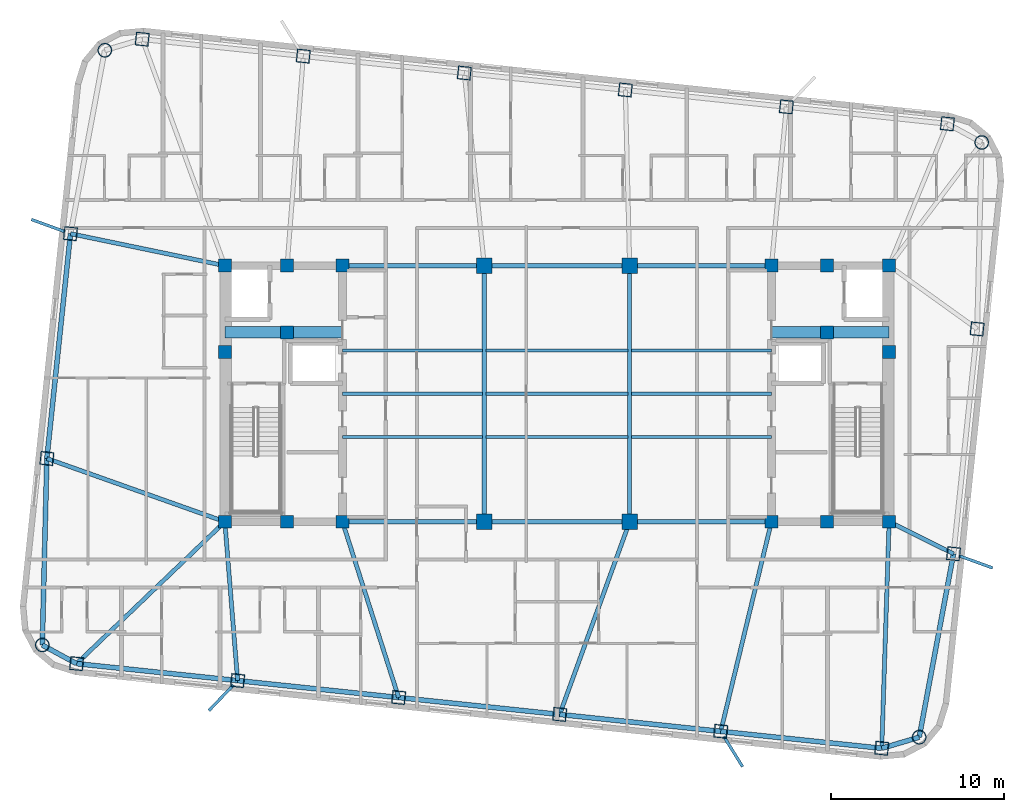
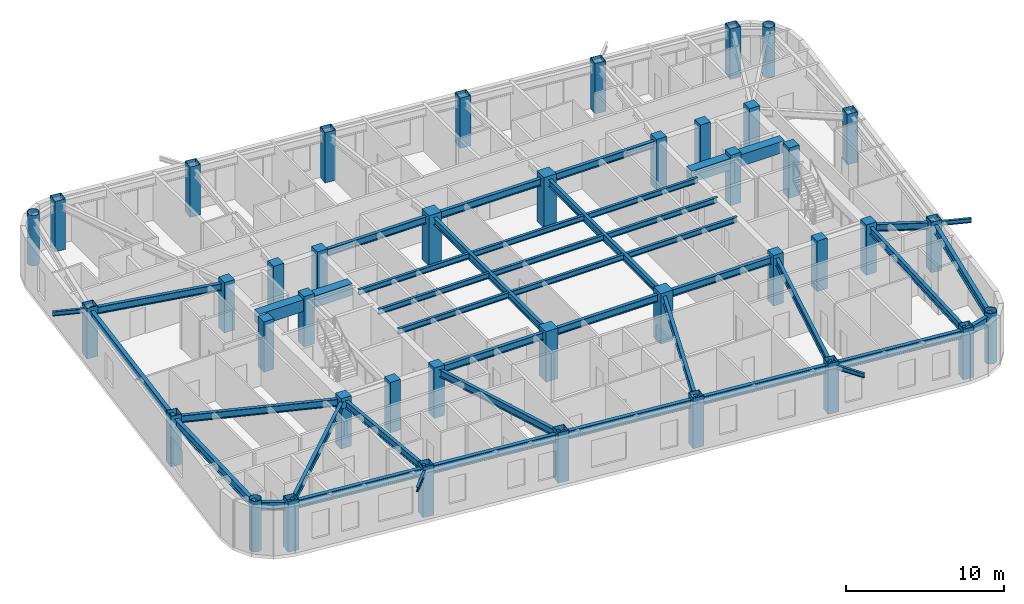
# One storey, part 1 of 11: 42 beams, 40 columns.
"""IFC4 building model written with IfcOpenShell, lengths in metres."""

from ifc_helpers import new_model, si_unit, direction, frame, origin, origin_2d, place, context, subcontext, project, spatial, rectangle, hollow_rectangle, hollow_circle, i_section, extrude, material, material_profile, profile_set, type_object, element, save


model = new_model("IFC4")

# Units and contexts
model_context = context("Model", 3, precision=1e-05, world=origin(), true_north=direction((0.0, 1.0)))
body_context = subcontext(model_context, "Body", "Model", "MODEL_VIEW")
ifc_project = project(units=[si_unit("LENGTHUNIT", "METRE"), si_unit("AREAUNIT", "SQUARE_METRE"), si_unit("VOLUMEUNIT", "CUBIC_METRE"), si_unit("PLANEANGLEUNIT", "RADIAN"), si_unit("MASSUNIT", "GRAM", prefix="KILO")], contexts=[model_context])

# Site, building, storey
site_placement = place(None, origin())
site = spatial("IfcSite", under=ifc_project, at=site_placement, CompositionType="ELEMENT")
building_placement = place(site_placement, origin())
building = spatial("IfcBuilding", under=site, at=building_placement, Name="Voryun Gate Residences", CompositionType="ELEMENT")
storey_placement = place(building_placement, frame((0.0, 0.0, 287.300048828125)))
storey = spatial("IfcBuildingStorey", under=building, at=storey_placement, Name="L71", CompositionType="ELEMENT", Elevation=287.300048828125)

# Columns
ifc_material_1 = material(Name="Concrete C50/60", Category="concrete")
ifc_material_profile_1 = material_profile(ifc_material_1, rectangle(XDim=0.75, YDim=0.75, at=origin_2d()), Name="RC-750x750")
ifc_profile_set_1 = profile_set([ifc_material_profile_1], Name="Concrete C50/60")
column_type_1 = type_object("IfcColumnType", Name="COL_CORE_750", PredefinedType="COLUMN", material=ifc_profile_set_1)
for number, where, z_axis, x_axis, name in (
    (1, (-19.199951171875, -7.39990234375, 0.0), (0.0, 0.0, 1.0), (1.0, 0.0, 0.0), "L71 Core boundary column WC-SW"),
    (2, (-19.199951171875, 2.39990234375, 0.0), (0.0, 0.0, 1.0), (1.0, 0.0, 0.0), "L71 Core boundary column WC-MW"),
    (3, (-19.199951171875, 7.39990234375, 0.0), (0.0, 0.0, 1.0), (1.0, 0.0, 0.0), "L71 Core boundary column WC-NW"),
    (4, (-15.60009765625, -7.39990234375, 0.0), (0.0, 0.0, 1.0), (1.0, 0.0, 0.0), "L71 Core boundary column WC-SM"),
    (5, (-15.60009765625, 7.39990234375, 0.0), (0.0, 0.0, 1.0), (1.0, 0.0, 0.0), "L71 Core boundary column WC-NM"),
    (6, (-12.39990234375, -7.39990234375, 0.0), (0.0, 0.0, 1.0), (1.0, 0.0, 0.0), "L71 Core boundary column WC-SE"),
    (7, (-15.60009765625, 3.550048828125, 0.0), (0.0, 0.0, 1.0), (1.0, 0.0, 0.0), "L71 Core boundary column WC-MM"),
    (8, (-12.39990234375, 7.39990234375, 0.0), (0.0, 0.0, 1.0), (1.0, 0.0, 0.0), "L71 Core boundary column WC-NE"),
    (9, (12.39990234375, -7.39990234375, 0.0), (0.0, 0.0, 1.0), (1.0, 0.0, 0.0), "L71 Core boundary column EC-SW"),
    (10, (15.60009765625, 3.550048828125, 0.0), (0.0, 0.0, 1.0), (1.0, 0.0, 0.0), "L71 Core boundary column EC-MM"),
    (11, (12.39990234375, 7.39990234375, 0.0), (0.0, 0.0, 1.0), (1.0, 0.0, 0.0), "L71 Core boundary column EC-NW"),
    (12, (15.60009765625, -7.39990234375, 0.0), (0.0, 0.0, 1.0), (1.0, 0.0, 0.0), "L71 Core boundary column EC-SM"),
    (13, (15.60009765625, 7.39990234375, 0.0), (0.0, 0.0, 1.0), (1.0, 0.0, 0.0), "L71 Core boundary column EC-NM"),
    (14, (19.199951171875, -7.39990234375, 0.0), (0.0, 0.0, 1.0), (1.0, 0.0, 0.0), "L71 Core boundary column EC-SE"),
    (15, (19.199951171875, 2.39990234375, 0.0), (0.0, 0.0, 1.0), (1.0, 0.0, 0.0), "L71 Core boundary column EC-ME"),
    (16, (19.199951171875, 7.39990234375, 0.0), (0.0, 0.0, 1.0), (1.0, 0.0, 0.0), "L71 Core boundary column EC-NE"),
):
    element("IfcColumn", number, at=place(storey_placement, frame(where, z_axis=z_axis, x_axis=x_axis)), inside=storey, type_object=column_type_1, Name=name, PredefinedType="COLUMN", context=body_context, shape_type="SweptSolid", body=[
        extrude(rectangle(XDim=0.75, YDim=0.75, at=origin_2d()), origin(), (0.0, 0.0, 1.0), 3.89990234375),
    ])
ifc_material_2 = material(Name="Concrete C50/60", Category="concrete")
ifc_material_profile_2 = material_profile(ifc_material_2, rectangle(XDim=0.89990234375, YDim=0.89990234375, at=origin_2d()), Name="RC-900x900")
ifc_profile_set_2 = profile_set([ifc_material_profile_2], Name="Concrete C50/60")
column_type_2 = type_object("IfcColumnType", Name="COL_CORE_900", PredefinedType="COLUMN", material=ifc_profile_set_2)
for number, where, z_axis, x_axis, name in (
    (17, (-4.199951171875, -7.39990234375, 0.0), (0.0, 0.0, 1.0), (1.0, 0.0, 0.0), "L71 Interior spine column SP-WS"),
    (18, (-4.199951171875, 7.39990234375, 0.0), (0.0, 0.0, 1.0), (1.0, 0.0, 0.0), "L71 Interior spine column SP-WN"),
    (19, (4.199951171875, -7.39990234375, 0.0), (0.0, 0.0, 1.0), (1.0, 0.0, 0.0), "L71 Interior spine column SP-ES"),
    (20, (4.199951171875, 7.39990234375, 0.0), (0.0, 0.0, 1.0), (1.0, 0.0, 0.0), "L71 Interior spine column SP-EN"),
):
    element("IfcColumn", number, at=place(storey_placement, frame(where, z_axis=z_axis, x_axis=x_axis)), inside=storey, type_object=column_type_2, Name=name, PredefinedType="COLUMN", context=body_context, shape_type="SweptSolid", body=[
        extrude(rectangle(XDim=0.89990234375, YDim=0.89990234375, at=origin_2d()), origin(), (0.0, 0.0, 1.0), 3.89990234375),
    ])
ifc_material_3 = material(Name="Steel SM355", Category="steel")
ifc_material_profile_3 = material_profile(ifc_material_3, hollow_circle(Radius=0.39990234375, WallThickness=0.028076171875, at=origin_2d()), Name="CHS-800x28")
ifc_profile_set_3 = profile_set([ifc_material_profile_3], Name="Steel SM355")
column_type_3 = type_object("IfcColumnType", Name="COL_CRN_800", PredefinedType="COLUMN", material=ifc_profile_set_3)
for number, where, z_axis, x_axis, name in (
    (21, (20.939453125, -19.855224609375, 0.0), (0.0, 0.0, 1.0), (0.994521895368, -0.104528463268, 0.0), "L71 Exoskeleton column CSE"),
    (22, (24.55322265625, 14.52734375, 0.0), (0.0, 0.0, 1.0), (0.994521895368, -0.104528463268, 0.0), "L71 Exoskeleton column CNE"),
    (23, (-26.139404296875, 19.855224609375, 0.0), (0.0, 0.0, 1.0), (0.994521895368, -0.104528463268, 0.0), "L71 Exoskeleton column CNW"),
    (24, (-29.753173828125, -14.52734375, 0.0), (0.0, 0.0, 1.0), (0.994521895368, -0.104528463268, 0.0), "L71 Exoskeleton column CSW"),
):
    element("IfcColumn", number, at=place(storey_placement, frame(where, z_axis=z_axis, x_axis=x_axis)), inside=storey, type_object=column_type_3, Name=name, PredefinedType="COLUMN", context=body_context, shape_type="SweptSolid", body=[
        extrude(hollow_circle(Radius=0.39990234375, WallThickness=0.028076171875, at=origin_2d()), origin(), (0.0, 0.0, 1.0), 3.89990234375),
    ])
ifc_material_4 = material(Name="Steel SM355", Category="steel")
ifc_material_profile_4 = material_profile(ifc_material_4, hollow_rectangle(XDim=0.75, YDim=0.75, WallThickness=0.02490234375, at=origin_2d()), Name="BOX-750x750x25")
ifc_profile_set_4 = profile_set([ifc_material_profile_4], Name="Steel SM355")
column_type_4 = type_object("IfcColumnType", Name="COL_EXO_B5", PredefinedType="COLUMN", material=ifc_profile_set_4)
for number, where, z_axis, x_axis, name in (
    (25, (-27.76904296875, -15.6044921875, 0.0), (0.0, 0.0, 1.0), (0.994521895368, -0.104528463268, 0.0), "L71 Exoskeleton column S1"),
    (26, (-18.460205078125, -16.5830078125, 0.0), (0.0, 0.0, 1.0), (0.994521895368, -0.104528463268, 0.0), "L71 Exoskeleton column S2"),
    (27, (-9.151611328125, -17.561279296875, 0.0), (0.0, 0.0, 1.0), (0.994521895368, -0.104528463268, 0.0), "L71 Exoskeleton column S3"),
    (28, (0.1572265625, -18.539794921875, 0.0), (0.0, 0.0, 1.0), (0.994521895368, -0.104528463268, 0.0), "L71 Exoskeleton column S4"),
    (29, (9.4658203125, -19.51806640625, 0.0), (0.0, 0.0, 1.0), (0.994521895368, -0.104528463268, 0.0), "L71 Exoskeleton column S5"),
    (30, (18.774658203125, -20.49658203125, 0.0), (0.0, 0.0, 1.0), (0.994521895368, -0.104528463268, 0.0), "L71 Exoskeleton column S6"),
    (31, (22.922607421875, -9.25244140625, 0.0), (0.0, 0.0, 1.0), (0.994521895368, -0.104528463268, 0.0), "L71 Exoskeleton column E1"),
    (32, (24.28857421875, 3.743896484375, 0.0), (0.0, 0.0, 1.0), (0.994521895368, -0.104528463268, 0.0), "L71 Exoskeleton column E2"),
    (33, (22.569091796875, 15.6044921875, 0.0), (0.0, 0.0, 1.0), (0.994521895368, -0.104528463268, 0.0), "L71 Exoskeleton column N1"),
    (34, (13.26025390625, 16.5830078125, 0.0), (0.0, 0.0, 1.0), (0.994521895368, -0.104528463268, 0.0), "L71 Exoskeleton column N2"),
    (35, (3.95166015625, 17.561279296875, 0.0), (0.0, 0.0, 1.0), (0.994521895368, -0.104528463268, 0.0), "L71 Exoskeleton column N3"),
    (36, (-5.357177734375, 18.539794921875, 0.0), (0.0, 0.0, 1.0), (0.994521895368, -0.104528463268, 0.0), "L71 Exoskeleton column N4"),
    (37, (-14.666015625, 19.51806640625, 0.0), (0.0, 0.0, 1.0), (0.994521895368, -0.104528463268, 0.0), "L71 Exoskeleton column N5"),
    (38, (-23.974609375, 20.49658203125, 0.0), (0.0, 0.0, 1.0), (0.994521895368, -0.104528463268, 0.0), "L71 Exoskeleton column N6"),
    (39, (-28.12255859375, 9.25244140625, 0.0), (0.0, 0.0, 1.0), (0.994521895368, -0.104528463268, 0.0), "L71 Exoskeleton column W1"),
    (40, (-29.488525390625, -3.743896484375, 0.0), (0.0, 0.0, 1.0), (0.994521895368, -0.104528463268, 0.0), "L71 Exoskeleton column W2"),
):
    element("IfcColumn", number, at=place(storey_placement, frame(where, z_axis=z_axis, x_axis=x_axis)), inside=storey, type_object=column_type_4, Name=name, PredefinedType="COLUMN", context=body_context, shape_type="SweptSolid", body=[
        extrude(hollow_rectangle(XDim=0.75, YDim=0.75, WallThickness=0.02490234375, at=origin_2d()), origin(), (0.0, 0.0, 1.0), 3.89990234375),
    ])

# Beams
ifc_material_5 = material(Name="Steel SM355", Category="steel")
ifc_material_profile_5 = material_profile(ifc_material_5, i_section(OverallWidth=0.169921875, OverallDepth=0.340087890625, WebThickness=0.008056640625, FlangeThickness=0.013916015625, FilletRadius=0.01806640625, at=origin_2d()), Name="H-340x170x8x14")
ifc_profile_set_5 = profile_set([ifc_material_profile_5], Name="Steel SM355")
beam_type_1 = type_object("IfcBeamType", Name="BM_BALC_EDGE", PredefinedType="JOIST", material=ifc_profile_set_5)
beam_1_placement = place(storey_placement, frame((-18.7021484375, -16.8359375, 3.46484375), z_axis=(-0.691211830003, -0.722652202698, 0.0), x_axis=(0.722652202698, -0.691211830003, 0.0)))
element("IfcBeam", 41, at=beam_1_placement, inside=storey, type_object=beam_type_1, Name="BM-L71-BALBRK-S2", PredefinedType="JOIST", context=body_context, shape_type="SweptSolid", body=[
    extrude(i_section(OverallWidth=0.169921875, OverallDepth=0.340087890625, WebThickness=0.008056640625, FlangeThickness=0.013916015625, FilletRadius=0.01806640625, at=origin_2d()), origin(), (0.0, 0.0, 1.0), 2.050048828125),
])
beam_2_placement = place(storey_placement, frame((9.64990234375, -19.81591796875, 3.46484375), z_axis=(0.52581739742, -0.850597475056, 0.0), x_axis=(0.850597475056, 0.52581739742, 0.0)))
element("IfcBeam", 42, at=beam_2_placement, inside=storey, type_object=beam_type_1, Name="BM-L71-BALBRK-S5", PredefinedType="JOIST", context=body_context, shape_type="SweptSolid", body=[
    extrude(i_section(OverallWidth=0.169921875, OverallDepth=0.340087890625, WebThickness=0.008056640625, FlangeThickness=0.013916015625, FilletRadius=0.01806640625, at=origin_2d()), origin(), (0.0, 0.0, 1.0), 2.0498046875),
])
for number, where, z_axis, x_axis, name in (
    (43, (23.251708984375, -9.371826171875, 3.46484375), (0.940119847324, -0.340844059164, 0.0), (0.340844059164, 0.940119847324, 0.0), "BM-L71-BALBRK-E1"),
    (44, (-28.45166015625, 9.371826171875, 3.46484375), (-0.940119847324, 0.340844059164, 0.0), (-0.340844059164, -0.940119847324, 0.0), "BM-L71-BALBRK-W1"),
):
    element("IfcBeam", number, at=place(storey_placement, frame(where, z_axis=z_axis, x_axis=x_axis)), inside=storey, type_object=beam_type_1, Name=name, PredefinedType="JOIST", context=body_context, shape_type="SweptSolid", body=[
        extrude(i_section(OverallWidth=0.169921875, OverallDepth=0.340087890625, WebThickness=0.008056640625, FlangeThickness=0.013916015625, FilletRadius=0.01806640625, at=origin_2d()), origin(), (0.0, 0.0, 1.0), 2.050048828125),
    ])
ifc_material_6 = material(Name="Concrete C60/75", Category="concrete")
ifc_material_profile_6 = material_profile(ifc_material_6, rectangle(XDim=0.64990234375, YDim=0.89990234375, at=origin_2d()), Name="RC-650x900")
ifc_profile_set_6 = profile_set([ifc_material_profile_6], Name="Concrete C60/75")
beam_type_2 = type_object("IfcBeamType", Name="BM_COUP_RC900", PredefinedType="LINTEL", material=ifc_profile_set_6)
for number, where, z_axis, x_axis, name in (
    (45, (-19.199951171875, 3.550048828125, 3.18505859375), (1.0, 0.0, 0.0), (0.0, 1.0, 0.0), "BM-L71-WC1"),
    (46, (12.39990234375, 3.550048828125, 3.18505859375), (1.0, 0.0, 0.0), (0.0, 1.0, 0.0), "BM-L71-EC1"),
):
    element("IfcBeam", number, at=place(storey_placement, frame(where, z_axis=z_axis, x_axis=x_axis)), inside=storey, type_object=beam_type_2, Name=name, PredefinedType="LINTEL", context=body_context, shape_type="SweptSolid", body=[
        extrude(rectangle(XDim=0.64990234375, YDim=0.89990234375, at=origin_2d()), origin(), (0.0, 0.0, 1.0), 6.800048828125),
    ])
ifc_material_7 = material(Name="Steel SM355", Category="steel")
ifc_material_profile_7 = material_profile(ifc_material_7, i_section(OverallWidth=0.280029296875, OverallDepth=0.6201171875, WebThickness=0.013916015625, FlangeThickness=0.02197265625, FilletRadius=0.01806640625, at=origin_2d()), Name="H-620x280x14x22")
ifc_profile_set_7 = profile_set([ifc_material_profile_7], Name="Steel SM355")
beam_type_3 = type_object("IfcBeamType", Name="BM_EXO_SPANDREL_H", PredefinedType="SPANDREL", material=ifc_profile_set_7)
beam_3_placement = place(storey_placement, frame((-27.76904296875, -15.6044921875, 3.324951171875), z_axis=(0.994520592114, -0.104540862157, 0.0), x_axis=(0.104540862157, 0.994520592114, 0.0)))
element("IfcBeam", 47, at=beam_3_placement, inside=storey, type_object=beam_type_3, Name="BM-L71-SPAND-01", PredefinedType="SPANDREL", context=body_context, shape_type="SweptSolid", body=[
    extrude(i_section(OverallWidth=0.280029296875, OverallDepth=0.6201171875, WebThickness=0.013916015625, FlangeThickness=0.02197265625, FilletRadius=0.01806640625, at=origin_2d()), origin(), (0.0, 0.0, 1.0), 9.360107421875),
])
beam_4_placement = place(storey_placement, frame((-18.460205078125, -16.5830078125, 3.324951171875), z_axis=(0.994523018663, -0.104517775278, 0.0), x_axis=(0.104517775278, 0.994523018663, 0.0)))
element("IfcBeam", 48, at=beam_4_placement, inside=storey, type_object=beam_type_3, Name="BM-L71-SPAND-02", PredefinedType="SPANDREL", context=body_context, shape_type="SweptSolid", body=[
    extrude(i_section(OverallWidth=0.280029296875, OverallDepth=0.6201171875, WebThickness=0.013916015625, FlangeThickness=0.02197265625, FilletRadius=0.01806640625, at=origin_2d()), origin(), (0.0, 0.0, 1.0), 9.35986328125),
])
beam_5_placement = place(storey_placement, frame((-9.151611328125, -17.561279296875, 3.324951171875), z_axis=(0.994520592114, -0.104540862157, 0.0), x_axis=(0.104540862157, 0.994520592114, 0.0)))
element("IfcBeam", 49, at=beam_5_placement, inside=storey, type_object=beam_type_3, Name="BM-L71-SPAND-03", PredefinedType="SPANDREL", context=body_context, shape_type="SweptSolid", body=[
    extrude(i_section(OverallWidth=0.280029296875, OverallDepth=0.6201171875, WebThickness=0.013916015625, FlangeThickness=0.02197265625, FilletRadius=0.01806640625, at=origin_2d()), origin(), (0.0, 0.0, 1.0), 9.360107421875),
])
beam_6_placement = place(storey_placement, frame((0.1572265625, -18.539794921875, 3.324951171875), z_axis=(0.994523018663, -0.104517775278, 0.0), x_axis=(0.104517775278, 0.994523018663, 0.0)))
element("IfcBeam", 50, at=beam_6_placement, inside=storey, type_object=beam_type_3, Name="BM-L71-SPAND-04", PredefinedType="SPANDREL", context=body_context, shape_type="SweptSolid", body=[
    extrude(i_section(OverallWidth=0.280029296875, OverallDepth=0.6201171875, WebThickness=0.013916015625, FlangeThickness=0.02197265625, FilletRadius=0.01806640625, at=origin_2d()), origin(), (0.0, 0.0, 1.0), 9.35986328125),
])
beam_7_placement = place(storey_placement, frame((9.4658203125, -19.51806640625, 3.324951171875), z_axis=(0.994520592114, -0.104540862157, 0.0), x_axis=(0.104540862157, 0.994520592114, 0.0)))
element("IfcBeam", 51, at=beam_7_placement, inside=storey, type_object=beam_type_3, Name="BM-L71-SPAND-05", PredefinedType="SPANDREL", context=body_context, shape_type="SweptSolid", body=[
    extrude(i_section(OverallWidth=0.280029296875, OverallDepth=0.6201171875, WebThickness=0.013916015625, FlangeThickness=0.02197265625, FilletRadius=0.01806640625, at=origin_2d()), origin(), (0.0, 0.0, 1.0), 9.360107421875),
])
beam_8_placement = place(storey_placement, frame((18.774658203125, -20.49658203125, 3.324951171875), z_axis=(0.958805748412, 0.28406255792, 0.0), x_axis=(-0.28406255792, 0.958805748412, 0.0)))
element("IfcBeam", 52, at=beam_8_placement, inside=storey, type_object=beam_type_3, Name="BM-L71-SPAND-06", PredefinedType="SPANDREL", context=body_context, shape_type="SweptSolid", body=[
    extrude(i_section(OverallWidth=0.280029296875, OverallDepth=0.6201171875, WebThickness=0.013916015625, FlangeThickness=0.02197265625, FilletRadius=0.01806640625, at=origin_2d()), origin(), (0.0, 0.0, 1.0), 2.2578125),
])
beam_9_placement = place(storey_placement, frame((20.939453125, -19.855224609375, 3.324951171875), z_axis=(0.183852585596, 0.982953827384, 0.0), x_axis=(-0.982953827384, 0.183852585596, 0.0)))
element("IfcBeam", 53, at=beam_9_placement, inside=storey, type_object=beam_type_3, Name="BM-L71-SPAND-07", PredefinedType="SPANDREL", context=body_context, shape_type="SweptSolid", body=[
    extrude(i_section(OverallWidth=0.280029296875, OverallDepth=0.6201171875, WebThickness=0.013916015625, FlangeThickness=0.02197265625, FilletRadius=0.01806640625, at=origin_2d()), origin(), (0.0, 0.0, 1.0), 10.78662109375),
])
beam_10_placement = place(storey_placement, frame((-28.12255859375, 9.25244140625, 3.324951171875), z_axis=(-0.104528209082, -0.994521922084, 0.0), x_axis=(0.994521922084, -0.104528209082, 0.0)))
element("IfcBeam", 54, at=beam_10_placement, inside=storey, type_object=beam_type_3, Name="BM-L71-SPAND-18", PredefinedType="SPANDREL", context=body_context, shape_type="SweptSolid", body=[
    extrude(i_section(OverallWidth=0.280029296875, OverallDepth=0.6201171875, WebThickness=0.013916015625, FlangeThickness=0.02197265625, FilletRadius=0.01806640625, at=origin_2d()), origin(), (0.0, 0.0, 1.0), 13.06787109375),
])
beam_11_placement = place(storey_placement, frame((-29.488525390625, -3.743896484375, 3.324951171875), z_axis=(-0.024534711967, -0.999698978647, 0.0), x_axis=(0.999698978647, -0.024534711967, 0.0)))
element("IfcBeam", 55, at=beam_11_placement, inside=storey, type_object=beam_type_3, Name="BM-L71-SPAND-19", PredefinedType="SPANDREL", context=body_context, shape_type="SweptSolid", body=[
    extrude(i_section(OverallWidth=0.280029296875, OverallDepth=0.6201171875, WebThickness=0.013916015625, FlangeThickness=0.02197265625, FilletRadius=0.01806640625, at=origin_2d()), origin(), (0.0, 0.0, 1.0), 10.78662109375),
])
beam_12_placement = place(storey_placement, frame((-29.753173828125, -14.52734375, 3.324951171875), z_axis=(0.878844363117, -0.477108567746, 0.0), x_axis=(0.477108567746, 0.878844363117, 0.0)))
element("IfcBeam", 56, at=beam_12_placement, inside=storey, type_object=beam_type_3, Name="BM-L71-SPAND-20", PredefinedType="SPANDREL", context=body_context, shape_type="SweptSolid", body=[
    extrude(i_section(OverallWidth=0.280029296875, OverallDepth=0.6201171875, WebThickness=0.013916015625, FlangeThickness=0.02197265625, FilletRadius=0.01806640625, at=origin_2d()), origin(), (0.0, 0.0, 1.0), 2.257568359375),
])
ifc_material_8 = material(Name="Steel SM355", Category="steel")
ifc_material_profile_8 = material_profile(ifc_material_8, i_section(OverallWidth=0.239990234375, OverallDepth=0.550048828125, WebThickness=0.011962890625, FlangeThickness=0.02001953125, FilletRadius=0.01806640625, at=origin_2d()), Name="H-550x240x12x20")
ifc_profile_set_8 = profile_set([ifc_material_profile_8], Name="Steel SM355")
beam_type_4 = type_object("IfcBeamType", Name="BM_GIRD_550", PredefinedType="USERDEFINED", material=ifc_profile_set_8)
beam_13_placement = place(storey_placement, frame((-12.39990234375, -7.39990234375, 3.35986328125), z_axis=(1.0, 0.0, 0.0), x_axis=(0.0, 1.0, 0.0)))
element("IfcBeam", 57, at=beam_13_placement, inside=storey, type_object=beam_type_4, Name="BM-L71-SPG1-S", ObjectType="GIRDER", PredefinedType="USERDEFINED", context=body_context, shape_type="SweptSolid", body=[
    extrude(i_section(OverallWidth=0.239990234375, OverallDepth=0.550048828125, WebThickness=0.011962890625, FlangeThickness=0.02001953125, FilletRadius=0.01806640625, at=origin_2d()), origin(), (0.0, 0.0, 1.0), 8.199951171875),
])
beam_14_placement = place(storey_placement, frame((-4.199951171875, -7.39990234375, 3.35986328125), z_axis=(1.0, 0.0, 0.0), x_axis=(0.0, 1.0, 0.0)))
element("IfcBeam", 58, at=beam_14_placement, inside=storey, type_object=beam_type_4, Name="BM-L71-SPG2-S", ObjectType="GIRDER", PredefinedType="USERDEFINED", context=body_context, shape_type="SweptSolid", body=[
    extrude(i_section(OverallWidth=0.239990234375, OverallDepth=0.550048828125, WebThickness=0.011962890625, FlangeThickness=0.02001953125, FilletRadius=0.01806640625, at=origin_2d()), origin(), (0.0, 0.0, 1.0), 8.39990234375),
])
for number, where, z_axis, x_axis, name in (
    (59, (4.199951171875, -7.39990234375, 3.35986328125), (1.0, 0.0, 0.0), (0.0, 1.0, 0.0), "BM-L71-SPG3-S"),
    (60, (-12.39990234375, 7.39990234375, 3.35986328125), (1.0, 0.0, 0.0), (0.0, 1.0, 0.0), "BM-L71-SPG1-N"),
):
    element("IfcBeam", number, at=place(storey_placement, frame(where, z_axis=z_axis, x_axis=x_axis)), inside=storey, type_object=beam_type_4, Name=name, ObjectType="GIRDER", PredefinedType="USERDEFINED", context=body_context, shape_type="SweptSolid", body=[
        extrude(i_section(OverallWidth=0.239990234375, OverallDepth=0.550048828125, WebThickness=0.011962890625, FlangeThickness=0.02001953125, FilletRadius=0.01806640625, at=origin_2d()), origin(), (0.0, 0.0, 1.0), 8.199951171875),
    ])
beam_15_placement = place(storey_placement, frame((-4.199951171875, 7.39990234375, 3.35986328125), z_axis=(1.0, 0.0, 0.0), x_axis=(0.0, 1.0, 0.0)))
element("IfcBeam", 61, at=beam_15_placement, inside=storey, type_object=beam_type_4, Name="BM-L71-SPG2-N", ObjectType="GIRDER", PredefinedType="USERDEFINED", context=body_context, shape_type="SweptSolid", body=[
    extrude(i_section(OverallWidth=0.239990234375, OverallDepth=0.550048828125, WebThickness=0.011962890625, FlangeThickness=0.02001953125, FilletRadius=0.01806640625, at=origin_2d()), origin(), (0.0, 0.0, 1.0), 8.39990234375),
])
beam_16_placement = place(storey_placement, frame((4.199951171875, 7.39990234375, 3.35986328125), z_axis=(1.0, 0.0, 0.0), x_axis=(0.0, 1.0, 0.0)))
element("IfcBeam", 62, at=beam_16_placement, inside=storey, type_object=beam_type_4, Name="BM-L71-SPG3-N", ObjectType="GIRDER", PredefinedType="USERDEFINED", context=body_context, shape_type="SweptSolid", body=[
    extrude(i_section(OverallWidth=0.239990234375, OverallDepth=0.550048828125, WebThickness=0.011962890625, FlangeThickness=0.02001953125, FilletRadius=0.01806640625, at=origin_2d()), origin(), (0.0, 0.0, 1.0), 8.199951171875),
])
for number, where, z_axis, x_axis, name in (
    (63, (-4.199951171875, -7.39990234375, 3.35986328125), (0.0, 1.0, 0.0), (-1.0, 0.0, 0.0), "BM-L71-SPX-W"),
    (64, (4.199951171875, -7.39990234375, 3.35986328125), (0.0, 1.0, 0.0), (-1.0, 0.0, 0.0), "BM-L71-SPX-E"),
):
    element("IfcBeam", number, at=place(storey_placement, frame(where, z_axis=z_axis, x_axis=x_axis)), inside=storey, type_object=beam_type_4, Name=name, ObjectType="GIRDER", PredefinedType="USERDEFINED", context=body_context, shape_type="SweptSolid", body=[
        extrude(i_section(OverallWidth=0.239990234375, OverallDepth=0.550048828125, WebThickness=0.011962890625, FlangeThickness=0.02001953125, FilletRadius=0.01806640625, at=origin_2d()), origin(), (0.0, 0.0, 1.0), 14.7998046875),
    ])
beam_17_placement = place(storey_placement, frame((-19.199951171875, -7.39990234375, 3.35986328125), z_axis=(-0.722302104769, -0.691577666966, 0.0), x_axis=(0.691577666966, -0.722302104769, 0.0)))
element("IfcBeam", 65, at=beam_17_placement, inside=storey, type_object=beam_type_4, Name="BM-L71-RAD-S1", ObjectType="GIRDER", PredefinedType="USERDEFINED", context=body_context, shape_type="SweptSolid", body=[
    extrude(i_section(OverallWidth=0.239990234375, OverallDepth=0.550048828125, WebThickness=0.011962890625, FlangeThickness=0.02001953125, FilletRadius=0.01806640625, at=origin_2d()), origin(), (0.0, 0.0, 1.0), 11.863525390625),
])
beam_18_placement = place(storey_placement, frame((-19.199951171875, -7.39990234375, 3.35986328125), z_axis=(0.080295011504, -0.996771142804, 0.0), x_axis=(0.996771142804, 0.080295011504, 0.0)))
element("IfcBeam", 66, at=beam_18_placement, inside=storey, type_object=beam_type_4, Name="BM-L71-RAD-S2", ObjectType="GIRDER", PredefinedType="USERDEFINED", context=body_context, shape_type="SweptSolid", body=[
    extrude(i_section(OverallWidth=0.239990234375, OverallDepth=0.550048828125, WebThickness=0.011962890625, FlangeThickness=0.02001953125, FilletRadius=0.01806640625, at=origin_2d()), origin(), (0.0, 0.0, 1.0), 9.212890625),
])
beam_19_placement = place(storey_placement, frame((-12.39990234375, -7.39990234375, 3.35986328125), z_axis=(0.30449089095, -0.952515247819, 0.0), x_axis=(0.952515247819, 0.30449089095, 0.0)))
element("IfcBeam", 67, at=beam_19_placement, inside=storey, type_object=beam_type_4, Name="BM-L71-RAD-S3", ObjectType="GIRDER", PredefinedType="USERDEFINED", context=body_context, shape_type="SweptSolid", body=[
    extrude(i_section(OverallWidth=0.239990234375, OverallDepth=0.550048828125, WebThickness=0.011962890625, FlangeThickness=0.02001953125, FilletRadius=0.01806640625, at=origin_2d()), origin(), (0.0, 0.0, 1.0), 10.66796875),
])
beam_20_placement = place(storey_placement, frame((4.199951171875, -7.39990234375, 3.35986328125), z_axis=(-0.341135931896, -0.940013976476, 0.0), x_axis=(0.940013976476, -0.341135931896, 0.0)))
element("IfcBeam", 68, at=beam_20_placement, inside=storey, type_object=beam_type_4, Name="BM-L71-RAD-S4", ObjectType="GIRDER", PredefinedType="USERDEFINED", context=body_context, shape_type="SweptSolid", body=[
    extrude(i_section(OverallWidth=0.239990234375, OverallDepth=0.550048828125, WebThickness=0.011962890625, FlangeThickness=0.02001953125, FilletRadius=0.01806640625, at=origin_2d()), origin(), (0.0, 0.0, 1.0), 11.850830078125),
])
beam_21_placement = place(storey_placement, frame((12.39990234375, -7.39990234375, 3.35986328125), z_axis=(-0.235323166357, -0.971917181336, 0.0), x_axis=(0.971917181336, -0.235323166357, 0.0)))
element("IfcBeam", 69, at=beam_21_placement, inside=storey, type_object=beam_type_4, Name="BM-L71-RAD-S5", ObjectType="GIRDER", PredefinedType="USERDEFINED", context=body_context, shape_type="SweptSolid", body=[
    extrude(i_section(OverallWidth=0.239990234375, OverallDepth=0.550048828125, WebThickness=0.011962890625, FlangeThickness=0.02001953125, FilletRadius=0.01806640625, at=origin_2d()), origin(), (0.0, 0.0, 1.0), 12.46826171875),
])
beam_22_placement = place(storey_placement, frame((19.199951171875, -7.39990234375, 3.35986328125), z_axis=(-0.032456234446, -0.999473157641, 0.0), x_axis=(0.999473157641, -0.032456234446, 0.0)))
element("IfcBeam", 70, at=beam_22_placement, inside=storey, type_object=beam_type_4, Name="BM-L71-RAD-S6", ObjectType="GIRDER", PredefinedType="USERDEFINED", context=body_context, shape_type="SweptSolid", body=[
    extrude(i_section(OverallWidth=0.239990234375, OverallDepth=0.550048828125, WebThickness=0.011962890625, FlangeThickness=0.02001953125, FilletRadius=0.01806640625, at=origin_2d()), origin(), (0.0, 0.0, 1.0), 13.103515625),
])
beam_23_placement = place(storey_placement, frame((19.199951171875, -7.39990234375, 3.35986328125), z_axis=(0.895271074172, -0.445521833081, 0.0), x_axis=(0.445521833081, 0.895271074172, 0.0)))
element("IfcBeam", 71, at=beam_23_placement, inside=storey, type_object=beam_type_4, Name="BM-L71-RAD-E1", ObjectType="GIRDER", PredefinedType="USERDEFINED", context=body_context, shape_type="SweptSolid", body=[
    extrude(i_section(OverallWidth=0.239990234375, OverallDepth=0.550048828125, WebThickness=0.011962890625, FlangeThickness=0.02001953125, FilletRadius=0.01806640625, at=origin_2d()), origin(), (0.0, 0.0, 1.0), 4.158203125),
])
beam_24_placement = place(storey_placement, frame((-19.199951171875, 7.39990234375, 3.35986328125), z_axis=(-0.979119049711, 0.203287693907, 0.0), x_axis=(-0.203287693907, -0.979119049711, 0.0)))
element("IfcBeam", 72, at=beam_24_placement, inside=storey, type_object=beam_type_4, Name="BM-L71-RAD-W1", ObjectType="GIRDER", PredefinedType="USERDEFINED", context=body_context, shape_type="SweptSolid", body=[
    extrude(i_section(OverallWidth=0.239990234375, OverallDepth=0.550048828125, WebThickness=0.011962890625, FlangeThickness=0.02001953125, FilletRadius=0.01806640625, at=origin_2d()), origin(), (0.0, 0.0, 1.0), 9.11279296875),
])
beam_25_placement = place(storey_placement, frame((-19.199951171875, -7.39990234375, 3.35986328125), z_axis=(-0.942276939669, 0.334834539688, 0.0), x_axis=(-0.334834539688, -0.942276939669, 0.0)))
element("IfcBeam", 73, at=beam_25_placement, inside=storey, type_object=beam_type_4, Name="BM-L71-RAD-W2", ObjectType="GIRDER", PredefinedType="USERDEFINED", context=body_context, shape_type="SweptSolid", body=[
    extrude(i_section(OverallWidth=0.239990234375, OverallDepth=0.550048828125, WebThickness=0.011962890625, FlangeThickness=0.02001953125, FilletRadius=0.01806640625, at=origin_2d()), origin(), (0.0, 0.0, 1.0), 10.9189453125),
])
ifc_material_9 = material(Name="Steel SM355", Category="steel")
ifc_material_profile_9 = material_profile(ifc_material_9, i_section(OverallWidth=0.18994140625, OverallDepth=0.419921875, WebThickness=0.009033203125, FlangeThickness=0.01611328125, FilletRadius=0.01806640625, at=origin_2d()), Name="H-420x190x9x16")
ifc_profile_set_9 = profile_set([ifc_material_profile_9], Name="Steel SM355")
beam_type_5 = type_object("IfcBeamType", Name="BM_SEC_420", PredefinedType="BEAM", material=ifc_profile_set_9)
beam_26_placement = place(storey_placement, frame((-12.39990234375, -2.5, 3.425048828125), z_axis=(1.0, 0.0, 0.0), x_axis=(0.0, 1.0, 0.0)))
element("IfcBeam", 74, at=beam_26_placement, inside=storey, type_object=beam_type_5, Name="BM-L71-SEC-CS1", PredefinedType="BEAM", context=body_context, shape_type="SweptSolid", body=[
    extrude(i_section(OverallWidth=0.18994140625, OverallDepth=0.419921875, WebThickness=0.009033203125, FlangeThickness=0.01611328125, FilletRadius=0.01806640625, at=origin_2d()), origin(), (0.0, 0.0, 1.0), 8.099853515625),
])
beam_27_placement = place(storey_placement, frame((-4.10009765625, -2.5, 3.425048828125), z_axis=(1.0, 0.0, 0.0), x_axis=(0.0, 1.0, 0.0)))
element("IfcBeam", 75, at=beam_27_placement, inside=storey, type_object=beam_type_5, Name="BM-L71-SEC-CS2", PredefinedType="BEAM", context=body_context, shape_type="SweptSolid", body=[
    extrude(i_section(OverallWidth=0.18994140625, OverallDepth=0.419921875, WebThickness=0.009033203125, FlangeThickness=0.01611328125, FilletRadius=0.01806640625, at=origin_2d()), origin(), (0.0, 0.0, 1.0), 8.2001953125),
])
for number, where, z_axis, x_axis, name in (
    (76, (4.300048828125, -2.5, 3.425048828125), (1.0, 0.0, 0.0), (0.0, 1.0, 0.0), "BM-L71-SEC-CS3"),
    (77, (-12.39990234375, 0.0, 3.425048828125), (1.0, 0.0, 0.0), (0.0, 1.0, 0.0), "BM-L71-SEC-CM1"),
):
    element("IfcBeam", number, at=place(storey_placement, frame(where, z_axis=z_axis, x_axis=x_axis)), inside=storey, type_object=beam_type_5, Name=name, PredefinedType="BEAM", context=body_context, shape_type="SweptSolid", body=[
        extrude(i_section(OverallWidth=0.18994140625, OverallDepth=0.419921875, WebThickness=0.009033203125, FlangeThickness=0.01611328125, FilletRadius=0.01806640625, at=origin_2d()), origin(), (0.0, 0.0, 1.0), 8.099853515625),
    ])
beam_28_placement = place(storey_placement, frame((-4.10009765625, 0.0, 3.425048828125), z_axis=(1.0, 0.0, 0.0), x_axis=(0.0, 1.0, 0.0)))
element("IfcBeam", 78, at=beam_28_placement, inside=storey, type_object=beam_type_5, Name="BM-L71-SEC-CM2", PredefinedType="BEAM", context=body_context, shape_type="SweptSolid", body=[
    extrude(i_section(OverallWidth=0.18994140625, OverallDepth=0.419921875, WebThickness=0.009033203125, FlangeThickness=0.01611328125, FilletRadius=0.01806640625, at=origin_2d()), origin(), (0.0, 0.0, 1.0), 8.2001953125),
])
for number, where, z_axis, x_axis, name in (
    (79, (4.300048828125, 0.0, 3.425048828125), (1.0, 0.0, 0.0), (0.0, 1.0, 0.0), "BM-L71-SEC-CM3"),
    (80, (-12.39990234375, 2.5, 3.425048828125), (1.0, 0.0, 0.0), (0.0, 1.0, 0.0), "BM-L71-SEC-CN1"),
):
    element("IfcBeam", number, at=place(storey_placement, frame(where, z_axis=z_axis, x_axis=x_axis)), inside=storey, type_object=beam_type_5, Name=name, PredefinedType="BEAM", context=body_context, shape_type="SweptSolid", body=[
        extrude(i_section(OverallWidth=0.18994140625, OverallDepth=0.419921875, WebThickness=0.009033203125, FlangeThickness=0.01611328125, FilletRadius=0.01806640625, at=origin_2d()), origin(), (0.0, 0.0, 1.0), 8.099853515625),
    ])
beam_29_placement = place(storey_placement, frame((-4.10009765625, 2.5, 3.425048828125), z_axis=(1.0, 0.0, 0.0), x_axis=(0.0, 1.0, 0.0)))
element("IfcBeam", 81, at=beam_29_placement, inside=storey, type_object=beam_type_5, Name="BM-L71-SEC-CN2", PredefinedType="BEAM", context=body_context, shape_type="SweptSolid", body=[
    extrude(i_section(OverallWidth=0.18994140625, OverallDepth=0.419921875, WebThickness=0.009033203125, FlangeThickness=0.01611328125, FilletRadius=0.01806640625, at=origin_2d()), origin(), (0.0, 0.0, 1.0), 8.2001953125),
])
beam_30_placement = place(storey_placement, frame((4.300048828125, 2.5, 3.425048828125), z_axis=(1.0, 0.0, 0.0), x_axis=(0.0, 1.0, 0.0)))
element("IfcBeam", 82, at=beam_30_placement, inside=storey, type_object=beam_type_5, Name="BM-L71-SEC-CN3", PredefinedType="BEAM", context=body_context, shape_type="SweptSolid", body=[
    extrude(i_section(OverallWidth=0.18994140625, OverallDepth=0.419921875, WebThickness=0.009033203125, FlangeThickness=0.01611328125, FilletRadius=0.01806640625, at=origin_2d()), origin(), (0.0, 0.0, 1.0), 8.099853515625),
])

save(model, "model.ifc")
